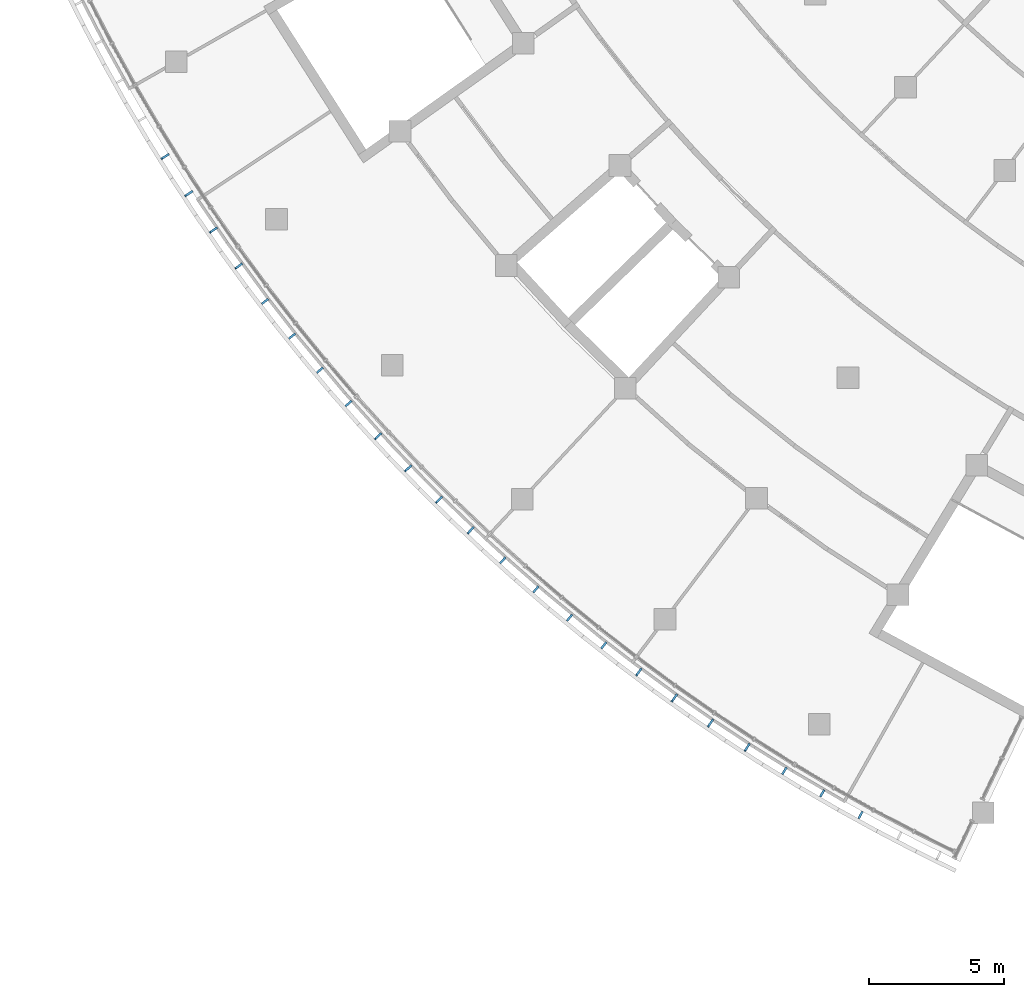
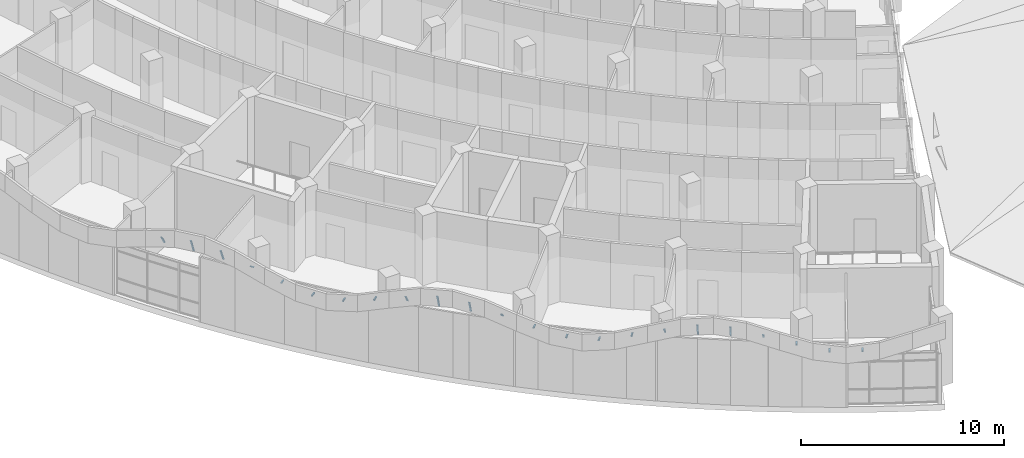
# One storey, part 92 of 137: 23 discrete accessories.
"""IFC4 building model written with IfcOpenShell, lengths in metres."""

from ifc_helpers import new_model, si_unit, direction, frame, origin, origin_2d, place, context, subcontext, project, spatial, rectangle, extrude, material, material_profile, profile_set, type_object, element, save


model = new_model("IFC4")

# Units and contexts
model_context = context("Model", 3, precision=1e-05, world=origin(), true_north=direction((0.0, 1.0)))
body_context = subcontext(model_context, "Body", "Model", "MODEL_VIEW")
ifc_project = project(units=[si_unit("LENGTHUNIT", "METRE"), si_unit("AREAUNIT", "SQUARE_METRE"), si_unit("VOLUMEUNIT", "CUBIC_METRE"), si_unit("PLANEANGLEUNIT", "RADIAN"), si_unit("MASSUNIT", "GRAM", prefix="KILO")], contexts=[model_context])

# Site, building, storey
site_placement = place(None, origin())
site = spatial("IfcSite", under=ifc_project, at=site_placement, CompositionType="ELEMENT")
building_placement = place(site_placement, origin())
building = spatial("IfcBuilding", under=site, at=building_placement, Name="Bougainvillea Quay General Hospital", CompositionType="ELEMENT")
storey_placement = place(building_placement, frame((0.0, 0.0, 16.800048828125)))
storey = spatial("IfcBuildingStorey", under=building, at=storey_placement, Name="L03", CompositionType="ELEMENT", Elevation=16.800048828125)

# Discrete accessories
ifc_material = material(Name="Stainless steel bracket, grade 316", Category="steel")
ifc_material_profile = material_profile(ifc_material, rectangle(XDim=0.080078125, YDim=0.050048828125, at=origin_2d()))
ifc_profile_set = profile_set([ifc_material_profile], Name="Stainless steel bracket, grade 316")
discrete_accessory_type = type_object("IfcDiscreteAccessoryType", Name="Stainless steel stand-off bracket 80x50", PredefinedType="BRACKET", material=ifc_profile_set)
discrete_accessory_1_placement = place(storey_placement, frame((49.80810546875, 88.960205078125, 4.139892578125), z_axis=(-0.455944638394, -0.284856007289, 0.843191284248), x_axis=(0.529852611987, -0.84808974146, 0.0)))
element("IfcDiscreteAccessory", 1, at=discrete_accessory_1_placement, inside=storey, type_object=discrete_accessory_type, Name="Fascia bracket a01 11", PredefinedType="BRACKET", context=body_context, shape_type="SweptSolid", body=[
    extrude(rectangle(XDim=0.080078125, YDim=0.050048828125, at=origin_2d()), origin(), (0.0, 0.0, 1.0), 0.557861328125),
])
discrete_accessory_2_placement = place(storey_placement, frame((50.682861328125, 87.593017578125, 4.139892578125), z_axis=(-0.298480925975, -0.195887189978, 0.934097075058), x_axis=(0.548674222806, -0.836036241576, 0.0)))
element("IfcDiscreteAccessory", 2, at=discrete_accessory_2_placement, inside=storey, type_object=discrete_accessory_type, Name="Fascia bracket a01 12", PredefinedType="BRACKET", context=body_context, shape_type="SweptSolid", body=[
    extrude(rectangle(XDim=0.080078125, YDim=0.050048828125, at=origin_2d()), origin(), (0.0, 0.0, 1.0), 0.840087890625),
])
discrete_accessory_3_placement = place(storey_placement, frame((51.589111328125, 86.24658203125, 4.139892578125), z_axis=(-0.33074334042, -0.228347034237, 0.915678150183), x_axis=(0.568151345887, -0.822924084085, 0.0)))
element("IfcDiscreteAccessory", 3, at=discrete_accessory_3_placement, inside=storey, type_object=discrete_accessory_type, Name="Fascia bracket a01 13", PredefinedType="BRACKET", context=body_context, shape_type="SweptSolid", body=[
    extrude(rectangle(XDim=0.080078125, YDim=0.050048828125, at=origin_2d()), origin(), (0.0, 0.0, 1.0), 0.746337890625),
])
discrete_accessory_4_placement = place(storey_placement, frame((52.5263671875, 84.921630859375, 4.139892578125), z_axis=(-0.648004437773, -0.470210255349, 0.599159882162), x_axis=(0.587300760558, -0.80936877667, 0.0)))
element("IfcDiscreteAccessory", 4, at=discrete_accessory_4_placement, inside=storey, type_object=discrete_accessory_type, Name="Fascia bracket a01 14", PredefinedType="BRACKET", context=body_context, shape_type="SweptSolid", body=[
    extrude(rectangle(XDim=0.080078125, YDim=0.050048828125, at=origin_2d()), origin(), (0.0, 0.0, 1.0), 0.374755859375),
])
for number, where, z_axis, x_axis, name in (
    (5, (53.494140625, 83.61865234375, 3.811279296875), (-0.795879841968, -0.605454603706, 0.0), (0.605454603706, -0.795879841968, 0.0), "Fascia bracket a01 15"),
    (6, (54.49169921875, 82.33837890625, 3.48095703125), (-0.781265636341, -0.624198690701, 0.0), (0.624198690701, -0.781265636341, 0.0), "Fascia bracket a01 16"),
    (7, (55.518798828125, 81.08154296875, 3.563232421875), (-0.767353478711, -0.641224327915, 0.0), (0.641224327915, -0.767353478711, 0.0), "Fascia bracket a01 17"),
    (8, (56.57470703125, 79.84912109375, 4.010498046875), (-0.751971412186, -0.659195718475, 0.0), (0.659195718475, -0.751971412186, 0.0), "Fascia bracket a01 18"),
):
    element("IfcDiscreteAccessory", number, at=place(storey_placement, frame(where, z_axis=z_axis, x_axis=x_axis)), inside=storey, type_object=discrete_accessory_type, Name=name, PredefinedType="BRACKET", context=body_context, shape_type="SweptSolid", body=[
        extrude(rectangle(XDim=0.080078125, YDim=0.050048828125, at=origin_2d()), origin(), (0.0, 0.0, 1.0), 0.300048828125),
    ])
discrete_accessory_5_placement = place(storey_placement, frame((57.658935546875, 78.641357421875, 4.139892578125), z_axis=(-0.423491616926, -0.389331519649, 0.817970548493), x_axis=(0.676792150457, -0.736174154042, 0.0)))
element("IfcDiscreteAccessory", 9, at=discrete_accessory_5_placement, inside=storey, type_object=discrete_accessory_type, Name="Fascia bracket a01 19", PredefinedType="BRACKET", context=body_context, shape_type="SweptSolid", body=[
    extrude(rectangle(XDim=0.080078125, YDim=0.050048828125, at=origin_2d()), origin(), (0.0, 0.0, 1.0), 0.521728515625),
])
discrete_accessory_6_placement = place(storey_placement, frame((58.770751953125, 77.458984375, 4.139892578125), z_axis=(-0.260745342636, -0.251022634944, 0.932201428362), x_axis=(0.693547822267, -0.720410590031, 0.0)))
element("IfcDiscreteAccessory", 10, at=discrete_accessory_6_placement, inside=storey, type_object=discrete_accessory_type, Name="Fascia bracket a01 20", PredefinedType="BRACKET", context=body_context, shape_type="SweptSolid", body=[
    extrude(rectangle(XDim=0.080078125, YDim=0.050048828125, at=origin_2d()), origin(), (0.0, 0.0, 1.0), 0.82861328125),
])
discrete_accessory_7_placement = place(storey_placement, frame((59.90966796875, 76.302734375, 4.139892578125), z_axis=(-0.274175975265, -0.276394740383, 0.921104490314), x_axis=(0.709950611822, -0.704251467002, 0.0)))
element("IfcDiscreteAccessory", 11, at=discrete_accessory_7_placement, inside=storey, type_object=discrete_accessory_type, Name="Fascia bracket a01 21", PredefinedType="BRACKET", context=body_context, shape_type="SweptSolid", body=[
    extrude(rectangle(XDim=0.080078125, YDim=0.050048828125, at=origin_2d()), origin(), (0.0, 0.0, 1.0), 0.770263671875),
])
discrete_accessory_8_placement = place(storey_placement, frame((61.0751953125, 75.17333984375, 4.139892578125), z_axis=(-0.507190199121, -0.536035139355, 0.674851414233), x_axis=(0.726380511313, -0.687292770794, 0.0)))
element("IfcDiscreteAccessory", 12, at=discrete_accessory_8_placement, inside=storey, type_object=discrete_accessory_type, Name="Fascia bracket a01 22", PredefinedType="BRACKET", context=body_context, shape_type="SweptSolid", body=[
    extrude(rectangle(XDim=0.080078125, YDim=0.050048828125, at=origin_2d()), origin(), (0.0, 0.0, 1.0), 0.40625),
])
for number, where, z_axis, x_axis, name in (
    (13, (62.2666015625, 74.0712890625, 3.855712890625), (-0.670401878164, -0.74199819525, 0.0), (0.74199819525, -0.670401878164, 0.0), "Fascia bracket a01 23"),
    (14, (63.4833984375, 72.996826171875, 3.494873046875), (-0.653535108512, -0.756896202885, 0.0), (0.756896202885, -0.653535108512, 0.0), "Fascia bracket a01 24"),
    (15, (64.724609375, 71.951171875, 3.53857421875), (-0.635450544584, -0.77214157082, 0.0), (0.77214157082, -0.635450544584, 0.0), "Fascia bracket a01 25"),
    (16, (65.98974609375, 70.9345703125, 3.96142578125), (-0.617426284951, -0.786628745122, 0.0), (0.786628745122, -0.617426284951, 0.0), "Fascia bracket a01 26"),
):
    element("IfcDiscreteAccessory", number, at=place(storey_placement, frame(where, z_axis=z_axis, x_axis=x_axis)), inside=storey, type_object=discrete_accessory_type, Name=name, PredefinedType="BRACKET", context=body_context, shape_type="SweptSolid", body=[
        extrude(rectangle(XDim=0.080078125, YDim=0.050048828125, at=origin_2d()), origin(), (0.0, 0.0, 1.0), 0.300048828125),
    ])
discrete_accessory_9_placement = place(storey_placement, frame((67.278076171875, 69.947509765625, 4.139892578125), z_axis=(-0.370331352704, -0.495116917202, 0.785947789299), x_axis=(0.80078057117, -0.598957825591, 0.0)))
element("IfcDiscreteAccessory", 17, at=discrete_accessory_9_placement, inside=storey, type_object=discrete_accessory_type, Name="Fascia bracket a01 27", PredefinedType="BRACKET", context=body_context, shape_type="SweptSolid", body=[
    extrude(rectangle(XDim=0.080078125, YDim=0.050048828125, at=origin_2d()), origin(), (0.0, 0.0, 1.0), 0.485107421875),
])
discrete_accessory_10_placement = place(storey_placement, frame((68.5888671875, 68.990478515625, 4.139892578125), z_axis=(-0.213810934225, -0.300174958148, 0.9296127575), x_axis=(0.814502463305, -0.58016009624, 0.0)))
element("IfcDiscreteAccessory", 18, at=discrete_accessory_10_placement, inside=storey, type_object=discrete_accessory_type, Name="Fascia bracket a01 28", PredefinedType="BRACKET", context=body_context, shape_type="SweptSolid", body=[
    extrude(rectangle(XDim=0.080078125, YDim=0.050048828125, at=origin_2d()), origin(), (0.0, 0.0, 1.0), 0.814208984375),
])
discrete_accessory_11_placement = place(storey_placement, frame((69.921630859375, 68.064208984375, 4.139892578125), z_axis=(-0.212772623735, -0.313608345418, 0.925406730186), x_axis=(0.827516278761, -0.561441723053, 0.0)))
element("IfcDiscreteAccessory", 19, at=discrete_accessory_11_placement, inside=storey, type_object=discrete_accessory_type, Name="Fascia bracket a01 29", PredefinedType="BRACKET", context=body_context, shape_type="SweptSolid", body=[
    extrude(rectangle(XDim=0.080078125, YDim=0.050048828125, at=origin_2d()), origin(), (0.0, 0.0, 1.0), 0.791748046875),
])
discrete_accessory_12_placement = place(storey_placement, frame((71.275390625, 67.169189453125, 4.139892578125), z_axis=(-0.368628731923, -0.572621774551, 0.732268503564), x_axis=(0.840834497113, -0.54129229485, 0.0)))
element("IfcDiscreteAccessory", 20, at=discrete_accessory_12_placement, inside=storey, type_object=discrete_accessory_type, Name="Fascia bracket a01 30", PredefinedType="BRACKET", context=body_context, shape_type="SweptSolid", body=[
    extrude(rectangle(XDim=0.080078125, YDim=0.050048828125, at=origin_2d()), origin(), (0.0, 0.0, 1.0), 0.4404296875),
])
discrete_accessory_13_placement = place(storey_placement, frame((72.649658203125, 66.3056640625, 3.90185546875), z_axis=(-0.521779232361, -0.853080554624, 0.0), x_axis=(0.853080554624, -0.521779232361, 0.0)))
element("IfcDiscreteAccessory", 21, at=discrete_accessory_13_placement, inside=storey, type_object=discrete_accessory_type, Name="Fascia bracket a01 31", PredefinedType="BRACKET", context=body_context, shape_type="SweptSolid", body=[
    extrude(rectangle(XDim=0.080078125, YDim=0.050048828125, at=origin_2d()), origin(), (0.0, 0.0, 1.0), 0.2998046875),
])
discrete_accessory_14_placement = place(storey_placement, frame((74.043701171875, 65.47412109375, 3.51220703125), z_axis=(-0.502959906984, -0.86430974307, 0.0), x_axis=(0.86430974307, -0.502959906984, 0.0)))
element("IfcDiscreteAccessory", 22, at=discrete_accessory_14_placement, inside=storey, type_object=discrete_accessory_type, Name="Fascia bracket a01 32", PredefinedType="BRACKET", context=body_context, shape_type="SweptSolid", body=[
    extrude(rectangle(XDim=0.080078125, YDim=0.050048828125, at=origin_2d()), origin(), (0.0, 0.0, 1.0), 0.300048828125),
])
discrete_accessory_15_placement = place(storey_placement, frame((75.456298828125, 64.67529296875, 3.51708984375), z_axis=(-0.482043775673, -0.876147132812, 0.0), x_axis=(0.876147132812, -0.482043775673, 0.0)))
element("IfcDiscreteAccessory", 23, at=discrete_accessory_15_placement, inside=storey, type_object=discrete_accessory_type, Name="Fascia bracket a01 33", PredefinedType="BRACKET", context=body_context, shape_type="SweptSolid", body=[
    extrude(rectangle(XDim=0.080078125, YDim=0.050048828125, at=origin_2d()), origin(), (0.0, 0.0, 1.0), 0.2998046875),
])

save(model, "model.ifc")
